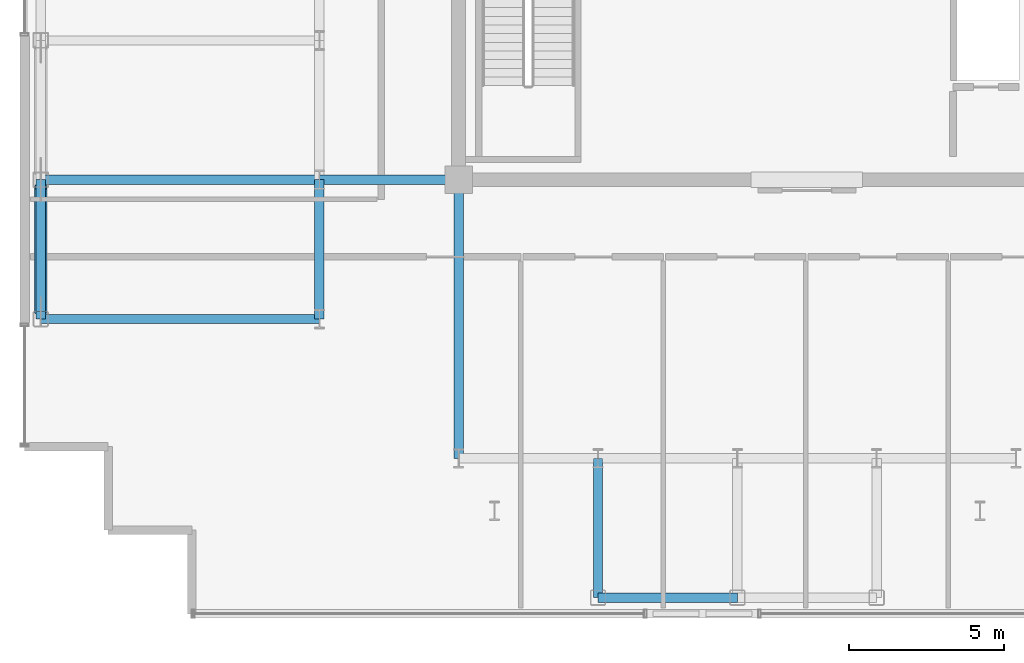
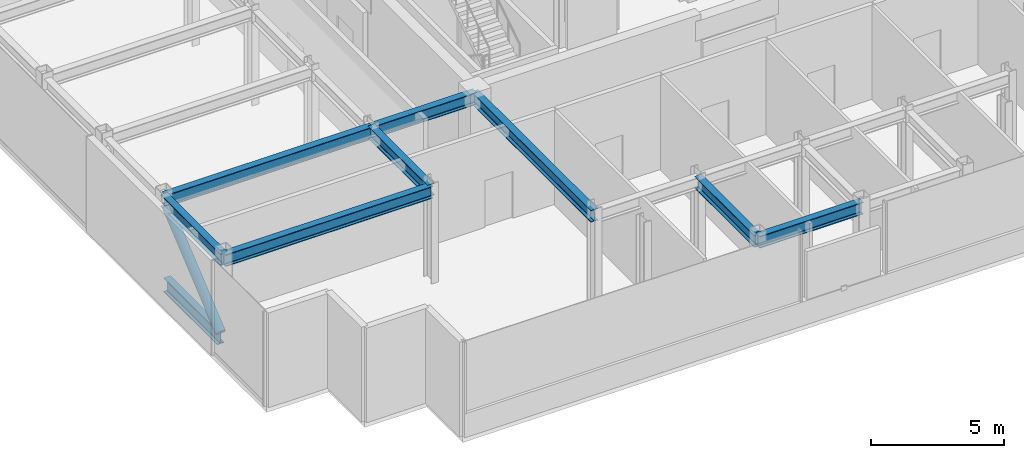
# One storey, part 3 of 18: 8 beams, 2 members.
"""IFC4 building model written with IfcOpenShell, lengths in metres."""

import ifcopenshell
import ifcopenshell.guid

model = None  # the IFC model being written
_history = None  # IfcOwnerHistory: only IFC2X3 demands one
_inside = {}  # id of a spatial element -> (the spatial element, [elements in it])
_under = {}  # id of a project, library or spatial element -> (it, [spatial elements below it])
_declared = {}  # id of a project -> (the project, [libraries it declares])
_typed = {}  # id of a type object -> (the type object, [elements of that type])
_made_of = {}  # id of a material, layer set ... -> (it, [elements and type objects made of it])


def new_model(schema):
    """Start an empty IFC model of exactly this schema.

    Asked for "IFC4X3", IfcOpenShell would pick the latest addendum, in which some entities
    have other attributes; the version numbers below select the first issue.
    IFC2X3 requires an IfcOwnerHistory on every rooted entity: one is made here for all.
    """
    global model, _history
    if schema == "IFC4X3":
        model = ifcopenshell.file(schema_version=(4, 3, 0, 0))
    else:
        model = ifcopenshell.file(schema=schema)
    _inside.clear()
    _under.clear()
    _declared.clear()
    _typed.clear()
    _made_of.clear()
    _history = None
    if model.schema == "IFC2X3":
        org = make("IfcOrganization", Name="unknown")
        user = make(
            "IfcPersonAndOrganization",
            ThePerson=make("IfcPerson", FamilyName="unknown"),
            TheOrganization=org,
        )
        app = make(
            "IfcApplication",
            ApplicationDeveloper=org,
            Version="unknown",
            ApplicationFullName="unknown",
            ApplicationIdentifier="unknown",
        )
        _history = make(
            "IfcOwnerHistory",
            OwningUser=user,
            OwningApplication=app,
            ChangeAction="ADDED",
            CreationDate=0,
        )
    return model


def make(cls, **values):
    """One entity of the class cls with the attributes given. An attribute that is None is left unset."""
    return model.create_entity(
        cls, **{name: value for name, value in values.items() if value is not None}
    )


def rooted(cls, **values):
    """An entity with a GlobalId (a new one), such as an element, a storey or a relation."""
    return make(cls, GlobalId=ifcopenshell.guid.new(), OwnerHistory=_history, **values)


def si_unit(unit_type, name, prefix=None):
    """IfcSIUnit, for example si_unit("LENGTHUNIT", "METRE", prefix="MILLI")."""
    return make("IfcSIUnit", UnitType=unit_type, Prefix=prefix, Name=name)


def assignment(units):
    """IfcUnitAssignment: the units of a project."""
    return None if units is None else make("IfcUnitAssignment", Units=units)


def point(xyz):
    """IfcCartesianPoint."""
    return None if xyz is None else make("IfcCartesianPoint", Coordinates=xyz)


def direction(xyz):
    """IfcDirection."""
    return None if xyz is None else make("IfcDirection", DirectionRatios=xyz)


def frame(location, z_axis=None, x_axis=None):
    """IfcAxis2Placement3D, a coordinate frame: its origin and axes. An axis left out is left unset."""
    return make(
        "IfcAxis2Placement3D",
        Location=point(location),
        Axis=direction(z_axis),
        RefDirection=direction(x_axis),
    )


def frame_2d(location, x_axis=None):
    """IfcAxis2Placement2D, a coordinate frame in the plane: its origin and x axis."""
    return make(
        "IfcAxis2Placement2D", Location=point(location), RefDirection=direction(x_axis)
    )


def origin():
    """The frame at (0, 0, 0) with its axes left unset."""
    return frame((0.0, 0.0, 0.0))


def origin_2d():
    """The frame at (0, 0) in the plane with its x axis left unset."""
    return frame_2d((0.0, 0.0))


def place(relative_to, where):
    """IfcLocalPlacement: puts the frame where relative to a parent placement (None: the world)."""
    return make(
        "IfcLocalPlacement", PlacementRelTo=relative_to, RelativePlacement=where
    )


def context(
    kind, dimensions, precision=None, world=None, true_north=None, identifier=None
):
    """IfcGeometricRepresentationContext, for example the 3D "Model" context."""
    return make(
        "IfcGeometricRepresentationContext",
        ContextIdentifier=identifier,
        ContextType=kind,
        CoordinateSpaceDimension=dimensions,
        Precision=precision,
        WorldCoordinateSystem=world,
        TrueNorth=true_north,
    )


def subcontext(parent, identifier, kind, view, scale=None):
    """IfcGeometricRepresentationSubContext, for example "Body" below "Model"."""
    return make(
        "IfcGeometricRepresentationSubContext",
        ContextIdentifier=identifier,
        ContextType=kind,
        ParentContext=parent,
        TargetScale=scale,
        TargetView=view,
    )


def project(units=None, contexts=None):
    """IfcProject with its units and contexts."""
    return rooted(
        "IfcProject",
        Name="project",
        RepresentationContexts=contexts,
        UnitsInContext=assignment(units),
    )


def spatial(cls, under=None, at=None, **own):
    """A site, building, storey or space (cls), placed at a placement, below another one or the project."""
    s = rooted(cls, ObjectPlacement=at, **own)
    if under is not None:
        _under.setdefault(under.id(), (under, []))[1].append(s)
    return s


def profile(cls, at=None, kind="AREA", **sizes):
    """A parametric profile (cls). Its sizes go by their IFC names, for example OverallWidth=200.0."""
    return make(cls, ProfileType=kind, Position=at, **sizes)


def hollow_circle(**sizes):
    """IfcCircleHollowProfileDef."""
    return profile("IfcCircleHollowProfileDef", **sizes)


def i_section(**sizes):
    """IfcIShapeProfileDef."""
    return profile("IfcIShapeProfileDef", **sizes)


def extrude(swept, where, along, depth):
    """IfcExtrudedAreaSolid: the profile swept, set in the frame where, extruded along a direction by depth."""
    return make(
        "IfcExtrudedAreaSolid",
        SweptArea=swept,
        Position=where,
        ExtrudedDirection=direction(along),
        Depth=depth,
    )


def shape(context_of_items, identifier, shape_type, items):
    """IfcShapeRepresentation: the items that make up one representation, for example the "Body"."""
    return make(
        "IfcShapeRepresentation",
        ContextOfItems=context_of_items,
        RepresentationIdentifier=identifier,
        RepresentationType=shape_type,
        Items=items,
    )


def source(mapping_origin, context_of_items, identifier, shape_type, items):
    """IfcRepresentationMap: a shape defined once, which mapped items show again and again."""
    return make(
        "IfcRepresentationMap",
        MappingOrigin=mapping_origin,
        MappedRepresentation=shape(context_of_items, identifier, shape_type, items),
    )


def transform(
    local_origin,
    x_axis=None,
    y_axis=None,
    z_axis=None,
    scale=None,
    scale2=None,
    scale3=None,
    uniform=True,
):
    """IfcCartesianTransformationOperator3D, or its non-uniform kind. x_axis, y_axis, z_axis: its Axis1, 2, 3."""
    if uniform:
        return make(
            "IfcCartesianTransformationOperator3D",
            Axis1=direction(x_axis),
            Axis2=direction(y_axis),
            LocalOrigin=point(local_origin),
            Scale=scale,
            Axis3=direction(z_axis),
        )
    return make(
        "IfcCartesianTransformationOperator3DnonUniform",
        Axis1=direction(x_axis),
        Axis2=direction(y_axis),
        LocalOrigin=point(local_origin),
        Scale=scale,
        Axis3=direction(z_axis),
        Scale2=scale2,
        Scale3=scale3,
    )


def mapped(mapping_source, mapping_target):
    """IfcMappedItem: shows the shape of a source again, moved by a transform."""
    return make(
        "IfcMappedItem", MappingSource=mapping_source, MappingTarget=mapping_target
    )


def material(Name=None, Category=None):
    """IfcMaterial."""
    return make("IfcMaterial", Name=Name, Category=Category)


def material_profile(
    of_material, cross_section, Name=None, Category=None, Priority=None
):
    """IfcMaterialProfile: a cross section and its material."""
    return make(
        "IfcMaterialProfile",
        Name=Name,
        Material=of_material,
        Profile=cross_section,
        Priority=Priority,
        Category=Category,
    )


def profile_set(profiles, Name=None, composite=None):
    """IfcMaterialProfileSet."""
    return make(
        "IfcMaterialProfileSet",
        Name=Name,
        MaterialProfiles=profiles,
        CompositeProfile=composite,
    )


def made_of(thing, what):
    """Note that an element or type object is made of a material, layer set ...; save() writes the relation."""
    if what is not None:
        _made_of.setdefault(what.id(), (what, []))[1].append(thing)
    return thing


def type_object(cls, material=None, **own):
    """A type object (cls), such as IfcWallType, which elements share."""
    return made_of(rooted(cls, **own), material)


def element(
    cls,
    number,
    at=None,
    inside=None,
    cuts=None,
    type_object=None,
    material=None,
    context=None,
    identifier="Body",
    shape_type=None,
    held_by="IfcProductDefinitionShape",
    body=None,
    shapes=None,
    **own,
):
    """One element of the class cls, such as IfcWall. Its Tag is "e" and its number.

    at: its placement. inside: the storey or other place that contains it. cuts: it is an
    opening in that element (IfcRelVoidsElement). A single representation is given by context,
    identifier, shape_type and body (its items); several are given by shapes. held_by: the class
    of the entity that holds the representations. save() writes the other relations.
    """
    e = rooted(cls, Tag="e%d" % number, ObjectPlacement=at, **own)
    if body is not None:
        shapes = [shape(context, identifier, shape_type, body)]
    if shapes is not None:
        e.Representation = make(held_by, Representations=shapes)
    if inside is not None:
        _inside.setdefault(inside.id(), (inside, []))[1].append(e)
    if cuts is not None:
        rooted(
            "IfcRelVoidsElement", RelatingBuildingElement=cuts, RelatedOpeningElement=e
        )
    if type_object is not None:
        _typed.setdefault(type_object.id(), (type_object, []))[1].append(e)
    return made_of(e, material)


def aggregate(whole, parts):
    """IfcRelAggregates: a whole, such as a stair, and the parts it consists of."""
    return rooted("IfcRelAggregates", RelatingObject=whole, RelatedObjects=parts)


def save(model, path):
    """Write the relations noted so far, then the file.

    IfcRelAggregates (storeys below a building ...), IfcRelContainedInSpatialStructure (elements
    in a storey), IfcRelDefinesByType, IfcRelAssociatesMaterial and IfcRelDeclares: one each for
    every whole, place, type object, material and project.
    """
    for whole, parts in _under.values():
        aggregate(whole, parts)
    for where, things in _inside.values():
        rooted(
            "IfcRelContainedInSpatialStructure",
            RelatedElements=things,
            RelatingStructure=where,
        )
    for kind, things in _typed.values():
        rooted("IfcRelDefinesByType", RelatedObjects=things, RelatingType=kind)
    for what, things in _made_of.values():
        rooted("IfcRelAssociatesMaterial", RelatedObjects=things, RelatingMaterial=what)
    for by, libraries in _declared.values():
        rooted("IfcRelDeclares", RelatingContext=by, RelatedDefinitions=libraries)
    model.write(path)


model = new_model("IFC4")

# Units and contexts
model_context = context("Model", 3, precision=1e-05, world=origin(), true_north=direction((0.0, 1.0)))
body_context = subcontext(model_context, "Body", "Model", "MODEL_VIEW")
ifc_project = project(units=[si_unit("LENGTHUNIT", "METRE"), si_unit("AREAUNIT", "SQUARE_METRE"), si_unit("VOLUMEUNIT", "CUBIC_METRE"), si_unit("PLANEANGLEUNIT", "RADIAN"), si_unit("MASSUNIT", "GRAM", prefix="KILO")], contexts=[model_context])

# Site, building, storey
site_placement = place(None, origin())
site = spatial("IfcSite", under=ifc_project, at=site_placement, CompositionType="ELEMENT")
building_placement = place(site_placement, origin())
building = spatial("IfcBuilding", under=site, at=building_placement, Name="Nefas-Gora Pilgrimage Tower", CompositionType="ELEMENT")
storey_placement = place(building_placement, frame((0.0, 0.0, 317.800048828125)))
storey = spatial("IfcBuildingStorey", under=building, at=storey_placement, Name="L80", CompositionType="ELEMENT", Elevation=317.800048828125)

# Beams
ifc_material_1 = material(Name="Steel S355", Category="steel")
ifc_material_profile_1 = material_profile(ifc_material_1, i_section(OverallWidth=0.300048828125, OverallDepth=0.550048828125, WebThickness=0.014892578125, FlangeThickness=0.029052734375, FilletRadius=0.027099609375, at=origin_2d()), Name="HEB 550")
ifc_profile_set_1 = profile_set([ifc_material_profile_1], Name="Steel S355")
beam_type_1 = type_object("IfcBeamType", Name="BM-SPN-HEB400", PredefinedType="SPANDREL", material=ifc_profile_set_1)
shared_shape_1 = source(origin(), body_context, "Body", "SweptSolid", [
    extrude(i_section(OverallWidth=0.300048828125, OverallDepth=0.550048828125, WebThickness=0.014892578125, FlangeThickness=0.029052734375, FilletRadius=0.027099609375, at=origin_2d()), origin(), (0.0, 0.0, 1.0), 4.5),
])
for number, where, z_axis, x_axis, name in (
    (1, (-24.75, -13.5, 4.074951171875), (0.0, 1.0, 0.0), (-1.0, 0.0, 0.0), "L80 SP-04 beam"),
    (2, (-6.75, -22.5, 4.074951171875), (1.0, 0.0, 0.0), (0.0, 1.0, 0.0), "L80 SP-04 beam"),
):
    element("IfcBeam", number, at=place(storey_placement, frame(where, z_axis=z_axis, x_axis=x_axis)), inside=storey, type_object=beam_type_1, Name=name, PredefinedType="SPANDREL", context=body_context, shape_type="MappedRepresentation", body=[
        mapped(shared_shape_1, transform((0.0, 0.0, 0.0), x_axis=(1.0, 0.0, 0.0), y_axis=(0.0, 1.0, 0.0), z_axis=(0.0, 0.0, 1.0), scale=1.0)),
    ])
ifc_material_profile_2 = material_profile(ifc_material_1, i_section(OverallWidth=0.300048828125, OverallDepth=0.550048828125, WebThickness=0.014892578125, FlangeThickness=0.029052734375, FilletRadius=0.027099609375, at=origin_2d()), Name="HEB 550")
ifc_profile_set_2 = profile_set([ifc_material_profile_2], Name="Steel S355")
beam_type_2 = type_object("IfcBeamType", Name="BM-GIR-HEB550", PredefinedType="BEAM", material=ifc_profile_set_2)
shared_shape_2 = source(origin(), body_context, "Body", "SweptSolid", [
    extrude(i_section(OverallWidth=0.300048828125, OverallDepth=0.550048828125, WebThickness=0.014892578125, FlangeThickness=0.029052734375, FilletRadius=0.027099609375, at=origin_2d()), origin(), (0.0, 0.0, 1.0), 9.0),
])
for number, where, z_axis, x_axis, name in (
    (3, (-24.75, -13.5, 4.074951171875), (1.0, 0.0, 0.0), (0.0, 1.0, 0.0), "L80 G-05 beam"),
    (4, (-24.75, -9.0, 4.074951171875), (1.0, 0.0, 0.0), (0.0, 1.0, 0.0), "L80 G-05 beam"),
    (5, (-11.25, -18.0, 4.074951171875), (0.0, 1.0, 0.0), (-1.0, 0.0, 0.0), "L80 G-05 beam"),
):
    element("IfcBeam", number, at=place(storey_placement, frame(where, z_axis=z_axis, x_axis=x_axis)), inside=storey, type_object=beam_type_2, Name=name, PredefinedType="BEAM", context=body_context, shape_type="MappedRepresentation", body=[
        mapped(shared_shape_2, transform((0.0, 0.0, 0.0), x_axis=(1.0, 0.0, 0.0), y_axis=(0.0, 1.0, 0.0), z_axis=(0.0, 0.0, 1.0), scale=1.0)),
    ])
shared_shape_3 = source(origin(), body_context, "Body", "SweptSolid", [
    extrude(i_section(OverallWidth=0.300048828125, OverallDepth=0.550048828125, WebThickness=0.014892578125, FlangeThickness=0.029052734375, FilletRadius=0.027099609375, at=origin_2d()), origin(), (0.0, 0.0, 1.0), 4.5),
])
for number, where, z_axis, x_axis, name in (
    (6, (-15.75, -13.5, 4.074951171875), (0.0, 1.0, 0.0), (-1.0, 0.0, 0.0), "L80 G-05 beam"),
    (7, (-15.75, -9.0, 4.074951171875), (1.0, 0.0, 0.0), (0.0, 1.0, 0.0), "L80 G-05 beam"),
    (8, (-6.75, -22.5, 4.074951171875), (0.0, 1.0, 0.0), (-1.0, 0.0, 0.0), "L80 G-05 beam"),
):
    element("IfcBeam", number, at=place(storey_placement, frame(where, z_axis=z_axis, x_axis=x_axis)), inside=storey, type_object=beam_type_2, Name=name, PredefinedType="BEAM", context=body_context, shape_type="MappedRepresentation", body=[
        mapped(shared_shape_3, transform((0.0, 0.0, 0.0), x_axis=(1.0, 0.0, 0.0), y_axis=(0.0, 1.0, 0.0), z_axis=(0.0, 0.0, 1.0), scale=1.0)),
    ])

# Members
ifc_material_2 = material(Name="Steel S460", Category="steel")
ifc_material_profile_3 = material_profile(ifc_material_2, hollow_circle(Radius=0.203125, WallThickness=0.02490234375, at=origin_2d()), Name="CHS 406.4x25")
ifc_profile_set_3 = profile_set([ifc_material_profile_3], Name="Steel S460")
member_type_1 = type_object("IfcMemberType", Name="MEM-BELT-406", PredefinedType="BRACE", material=ifc_profile_set_3)
shared_shape_4 = source(origin(), body_context, "Body", "SweptSolid", [
    extrude(hollow_circle(Radius=0.203125, WallThickness=0.02490234375, at=origin_2d()), origin(), (0.0, 0.0, 1.0), 5.238037109375),
])
member_1_placement = place(storey_placement, frame((-24.75, -13.261962890625, 0.54833984375), z_axis=(0.0, 0.768221279597, 0.640184399664), x_axis=(-1.0, 0.0, 0.0)))
element("IfcMember", 9, at=member_1_placement, inside=storey, type_object=member_type_1, Name="L80 Perimeter Belt-Truss Diagonal 1", PredefinedType="BRACE", context=body_context, shape_type="MappedRepresentation", body=[
    mapped(shared_shape_4, transform((0.0, 0.0, 0.0), x_axis=(1.0, 0.0, 0.0), y_axis=(0.0, 1.0, 0.0), z_axis=(0.0, 0.0, 1.0), scale=1.0)),
])
ifc_material_profile_4 = material_profile(ifc_material_2, i_section(OverallWidth=0.300048828125, OverallDepth=0.64990234375, WebThickness=0.01611328125, FlangeThickness=0.031005859375, FilletRadius=0.027099609375, at=origin_2d()), Name="HEB 650")
ifc_profile_set_4 = profile_set([ifc_material_profile_4], Name="Steel S460")
member_type_2 = type_object("IfcMemberType", Name="MEM-BELT-CHORD", PredefinedType="CHORD", material=ifc_profile_set_4)
shared_shape_5 = source(origin(), body_context, "Body", "SweptSolid", [
    extrude(i_section(OverallWidth=0.300048828125, OverallDepth=0.64990234375, WebThickness=0.01611328125, FlangeThickness=0.031005859375, FilletRadius=0.027099609375, at=origin_2d()), origin(), (0.0, 0.0, 1.0), 4.02392578125),
])
member_2_placement = place(storey_placement, frame((-24.75, -13.261962890625, 0.349853515625), z_axis=(0.0, 1.0, 0.0), x_axis=(-1.0, 0.0, 0.0)))
element("IfcMember", 10, at=member_2_placement, inside=storey, type_object=member_type_2, Name="L80 Perimeter Belt-Truss Bottom Chord 1", PredefinedType="CHORD", context=body_context, shape_type="MappedRepresentation", body=[
    mapped(shared_shape_5, transform((0.0, 0.0, 0.0), x_axis=(1.0, 0.0, 0.0), y_axis=(0.0, 1.0, 0.0), z_axis=(0.0, 0.0, 1.0), scale=1.0)),
])

save(model, "model.ifc")
